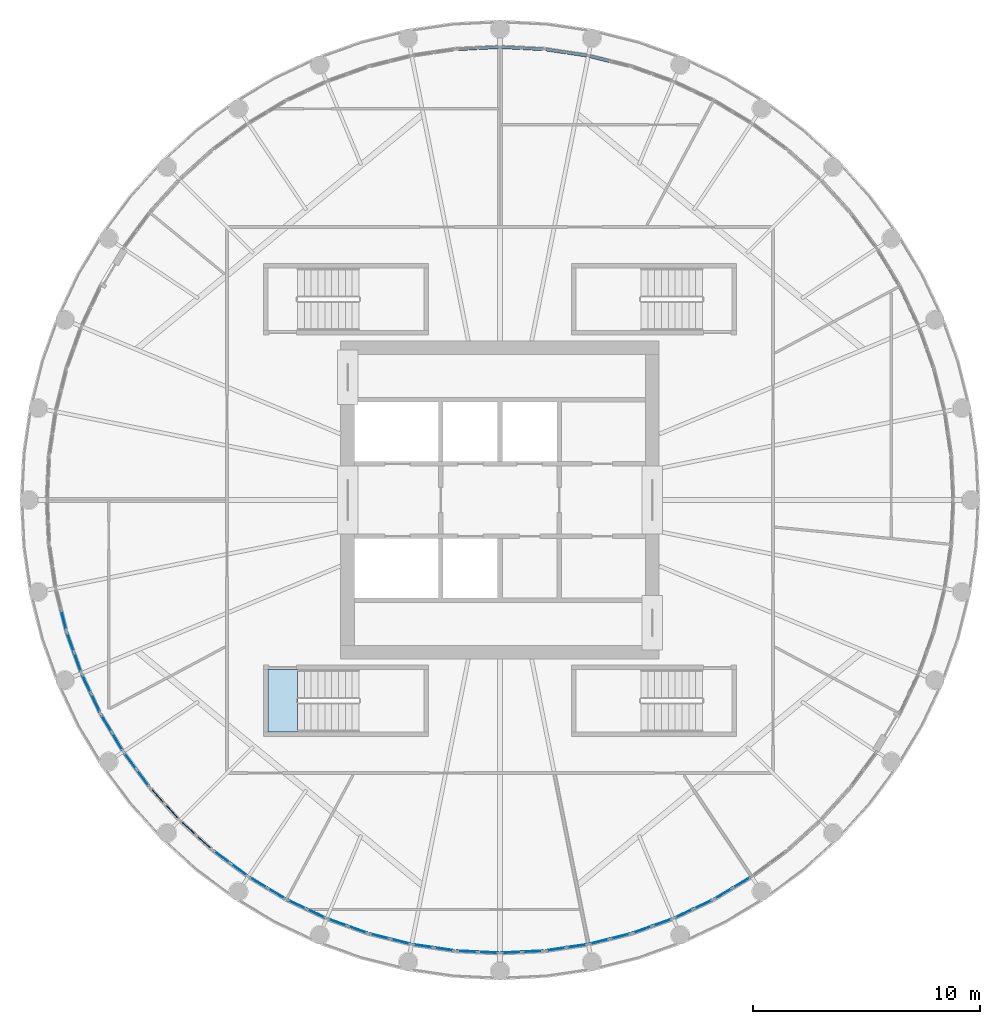
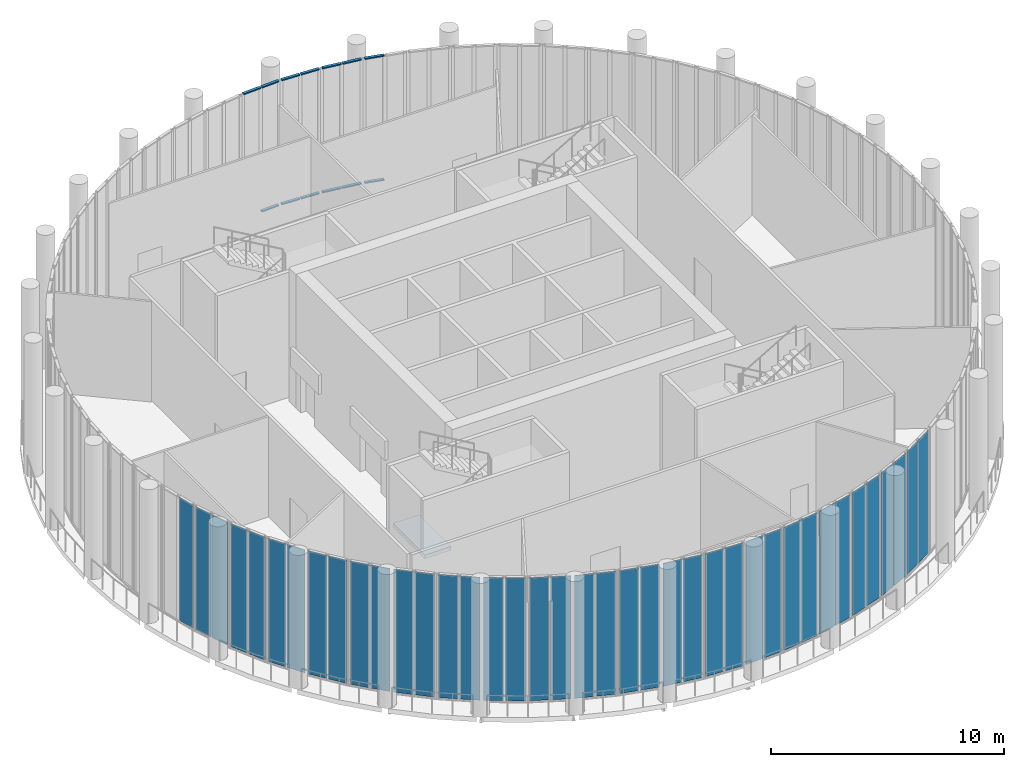
# One storey, part 12 of 21: 39 plates, 13 members, 1 slab, 25 elements without a shape of their own.
"""IFC4 building model written with IfcOpenShell, lengths in metres."""

from ifc_helpers import new_model, si_unit, direction, frame, origin, origin_2d, place, context, subcontext, project, spatial, polyline, rectangle, outline, extrude, material, layer, layer_set, material_profile, profile_set, type_object, element, aggregate, save


model = new_model("IFC4")

# Units and contexts
model_context = context("Model", 3, precision=1e-05, world=origin(), true_north=direction((0.0, 1.0)))
body_context = subcontext(model_context, "Body", "Model", "MODEL_VIEW")
ifc_project = project(units=[si_unit("LENGTHUNIT", "METRE"), si_unit("AREAUNIT", "SQUARE_METRE"), si_unit("VOLUMEUNIT", "CUBIC_METRE"), si_unit("PLANEANGLEUNIT", "RADIAN"), si_unit("MASSUNIT", "GRAM", prefix="KILO")], contexts=[model_context])

# Site, building, storey
site_placement = place(None, origin())
site = spatial("IfcSite", under=ifc_project, at=site_placement, CompositionType="ELEMENT")
building_placement = place(site_placement, origin())
building = spatial("IfcBuilding", under=site, at=building_placement, Name="Corvane Civic Tower", CompositionType="ELEMENT")
storey_placement = place(building_placement, frame((0.0, 0.0, 380.5)))
storey = spatial("IfcBuildingStorey", under=building, at=storey_placement, Name="L91", CompositionType="ELEMENT", Elevation=380.5)

# Curtain wall, members
ifc_material_1 = material(Name="Aluminium and glass", Category="aluminium")
curtain_wall_type = type_object("IfcCurtainWallType", Name="CROWN-CW-O-RUN", PredefinedType="NOTDEFINED", material=ifc_material_1)
curtain_wall_1_placement = place(storey_placement, origin())
curtain_wall_1 = element("IfcCurtainWall", 1, at=curtain_wall_1_placement, inside=storey, type_object=curtain_wall_type, Name="CW-O run L91 1", PredefinedType="NOTDEFINED")
ifc_material_2 = material(Name="Anodised aluminium bronze", Category="aluminium")
ifc_material_profile = material_profile(ifc_material_2, rectangle(XDim=0.139892578125, YDim=0.06005859375, at=origin_2d()), Name="AL 140x60")
ifc_profile_set = profile_set([ifc_material_profile], Name="Anodised aluminium bronze")
member_type = type_object("IfcMemberType", Name="CROWN-CWO-TRANSOM-60x140", PredefinedType="USERDEFINED", material=ifc_profile_set)
member_1_placement = place(storey_placement, frame((-0.075439453125, 19.90625, 0.030029296875), z_axis=(-0.998797339575, -0.04902932242, 0.0), x_axis=(0.04902932242, -0.998797339575, 0.0)))
member_1 = element("IfcMember", 2, at=member_1_placement, type_object=member_type, Name="CW-O transom 1.1", ObjectType="TRANSOM", PredefinedType="USERDEFINED", context=body_context, shape_type="SweptSolid", body=[
    extrude(rectangle(XDim=0.139892578125, YDim=0.06005859375, at=origin_2d()), origin(), (0.0, 0.0, 1.0), 0.871337890625),
])
member_2_placement = place(storey_placement, frame((-0.075439453125, 19.90625, 6.52001953125), z_axis=(-0.998797339575, -0.04902932242, 0.0), x_axis=(0.04902932242, -0.998797339575, 0.0)))
member_2 = element("IfcMember", 3, at=member_2_placement, type_object=member_type, Name="CW-O transom 1.2", ObjectType="TRANSOM", PredefinedType="USERDEFINED", context=body_context, shape_type="SweptSolid", body=[
    extrude(rectangle(XDim=0.139892578125, YDim=0.06005859375, at=origin_2d()), origin(), (0.0, 0.0, 1.0), 0.871337890625),
])
member_3_placement = place(storey_placement, frame((-1.005859375, 19.860595703125, 6.52001953125), z_axis=(-0.998797339575, -0.04902932242, 0.0), x_axis=(0.04902932242, -0.998797339575, 0.0)))
member_3 = element("IfcMember", 4, at=member_3_placement, type_object=member_type, Name="CW-O transom 2.2", ObjectType="TRANSOM", PredefinedType="USERDEFINED", context=body_context, shape_type="SweptSolid", body=[
    extrude(rectangle(XDim=0.139892578125, YDim=0.06005859375, at=origin_2d()), origin(), (0.0, 0.0, 1.0), 0.871337890625),
])
aggregate(curtain_wall_1, [member_1, member_2, member_3])

curtain_wall_2_placement = place(storey_placement, origin())
curtain_wall_2 = element("IfcCurtainWall", 5, at=curtain_wall_2_placement, inside=storey, type_object=curtain_wall_type, Name="CW-O run L91 62", PredefinedType="NOTDEFINED")
member_4_placement = place(storey_placement, frame((4.802734375, 19.29736328125, 0.030029296875), z_axis=(-0.970043526285, 0.242931177727, 0.0), x_axis=(-0.242931177727, -0.970043526285, 0.0)))
member_4 = element("IfcMember", 6, at=member_4_placement, type_object=member_type, Name="CW-O transom 2.1", ObjectType="TRANSOM", PredefinedType="USERDEFINED", context=body_context, shape_type="SweptSolid", body=[
    extrude(rectangle(XDim=0.139892578125, YDim=0.06005859375, at=origin_2d()), origin(), (0.0, 0.0, 1.0), 0.871337890625),
])
member_5_placement = place(storey_placement, frame((4.802734375, 19.29736328125, 6.52001953125), z_axis=(-0.970043526285, 0.242931177727, 0.0), x_axis=(-0.242931177727, -0.970043526285, 0.0)))
member_5 = element("IfcMember", 7, at=member_5_placement, type_object=member_type, Name="CW-O transom 2.2", ObjectType="TRANSOM", PredefinedType="USERDEFINED", context=body_context, shape_type="SweptSolid", body=[
    extrude(rectangle(XDim=0.139892578125, YDim=0.06005859375, at=origin_2d()), origin(), (0.0, 0.0, 1.0), 0.871337890625),
])
aggregate(curtain_wall_2, [member_4, member_5])

curtain_wall_3_placement = place(storey_placement, origin())
curtain_wall_3 = element("IfcCurtainWall", 8, at=curtain_wall_3_placement, inside=storey, type_object=curtain_wall_type, Name="CW-O run L91 63", PredefinedType="NOTDEFINED")
member_6_placement = place(storey_placement, frame((3.8095703125, 19.538330078125, 0.030029296875), z_axis=(-0.989167334022, 0.146792320314, 0.0), x_axis=(-0.146792320314, -0.989167334022, 0.0)))
member_6 = element("IfcMember", 9, at=member_6_placement, type_object=member_type, Name="CW-O transom 1.1", ObjectType="TRANSOM", PredefinedType="USERDEFINED", context=body_context, shape_type="SweptSolid", body=[
    extrude(rectangle(XDim=0.139892578125, YDim=0.06005859375, at=origin_2d()), origin(), (0.0, 0.0, 1.0), 0.87158203125),
])
member_7_placement = place(storey_placement, frame((3.8095703125, 19.538330078125, 6.52001953125), z_axis=(-0.989167334022, 0.146792320314, 0.0), x_axis=(-0.146792320314, -0.989167334022, 0.0)))
member_7 = element("IfcMember", 10, at=member_7_placement, type_object=member_type, Name="CW-O transom 1.2", ObjectType="TRANSOM", PredefinedType="USERDEFINED", context=body_context, shape_type="SweptSolid", body=[
    extrude(rectangle(XDim=0.139892578125, YDim=0.06005859375, at=origin_2d()), origin(), (0.0, 0.0, 1.0), 0.87158203125),
])
member_8_placement = place(storey_placement, frame((2.88818359375, 19.675048828125, 0.030029296875), z_axis=(-0.989161295103, 0.146833008112, 0.0), x_axis=(-0.146833008112, -0.989161295103, 0.0)))
member_8 = element("IfcMember", 11, at=member_8_placement, type_object=member_type, Name="CW-O transom 2.1", ObjectType="TRANSOM", PredefinedType="USERDEFINED", context=body_context, shape_type="SweptSolid", body=[
    extrude(rectangle(XDim=0.139892578125, YDim=0.06005859375, at=origin_2d()), origin(), (0.0, 0.0, 1.0), 0.871337890625),
])
member_9_placement = place(storey_placement, frame((2.88818359375, 19.675048828125, 6.52001953125), z_axis=(-0.989161295103, 0.146833008112, 0.0), x_axis=(-0.146833008112, -0.989161295103, 0.0)))
member_9 = element("IfcMember", 12, at=member_9_placement, type_object=member_type, Name="CW-O transom 2.2", ObjectType="TRANSOM", PredefinedType="USERDEFINED", context=body_context, shape_type="SweptSolid", body=[
    extrude(rectangle(XDim=0.139892578125, YDim=0.06005859375, at=origin_2d()), origin(), (0.0, 0.0, 1.0), 0.871337890625),
])
aggregate(curtain_wall_3, [member_6, member_7, member_8, member_9])

curtain_wall_4_placement = place(storey_placement, origin())
curtain_wall_4 = element("IfcCurtainWall", 13, at=curtain_wall_4_placement, inside=storey, type_object=curtain_wall_type, Name="CW-O run L91 64", PredefinedType="NOTDEFINED")
member_10_placement = place(storey_placement, frame((1.876220703125, 19.81787109375, 0.030029296875), z_axis=(-0.998797339575, 0.04902932242, 0.0), x_axis=(-0.04902932242, -0.998797339575, 0.0)))
member_10 = element("IfcMember", 14, at=member_10_placement, type_object=member_type, Name="CW-O transom 1.1", ObjectType="TRANSOM", PredefinedType="USERDEFINED", context=body_context, shape_type="SweptSolid", body=[
    extrude(rectangle(XDim=0.139892578125, YDim=0.06005859375, at=origin_2d()), origin(), (0.0, 0.0, 1.0), 0.871337890625),
])
member_11_placement = place(storey_placement, frame((1.876220703125, 19.81787109375, 6.52001953125), z_axis=(-0.998797339575, 0.04902932242, 0.0), x_axis=(-0.04902932242, -0.998797339575, 0.0)))
member_11 = element("IfcMember", 15, at=member_11_placement, type_object=member_type, Name="CW-O transom 1.2", ObjectType="TRANSOM", PredefinedType="USERDEFINED", context=body_context, shape_type="SweptSolid", body=[
    extrude(rectangle(XDim=0.139892578125, YDim=0.06005859375, at=origin_2d()), origin(), (0.0, 0.0, 1.0), 0.871337890625),
])
member_12_placement = place(storey_placement, frame((0.94580078125, 19.863525390625, 0.030029296875), z_axis=(-0.998797339575, 0.04902932242, 0.0), x_axis=(-0.04902932242, -0.998797339575, 0.0)))
member_12 = element("IfcMember", 16, at=member_12_placement, type_object=member_type, Name="CW-O transom 2.1", ObjectType="TRANSOM", PredefinedType="USERDEFINED", context=body_context, shape_type="SweptSolid", body=[
    extrude(rectangle(XDim=0.139892578125, YDim=0.06005859375, at=origin_2d()), origin(), (0.0, 0.0, 1.0), 0.871337890625),
])
member_13_placement = place(storey_placement, frame((0.94580078125, 19.863525390625, 6.52001953125), z_axis=(-0.998797339575, 0.04902932242, 0.0), x_axis=(-0.04902932242, -0.998797339575, 0.0)))
member_13 = element("IfcMember", 17, at=member_13_placement, type_object=member_type, Name="CW-O transom 2.2", ObjectType="TRANSOM", PredefinedType="USERDEFINED", context=body_context, shape_type="SweptSolid", body=[
    extrude(rectangle(XDim=0.139892578125, YDim=0.06005859375, at=origin_2d()), origin(), (0.0, 0.0, 1.0), 0.871337890625),
])
aggregate(curtain_wall_4, [member_10, member_11, member_12, member_13])

# Curtain wall, plate
curtain_wall_5_placement = place(storey_placement, origin())
curtain_wall_5 = element("IfcCurtainWall", 18, at=curtain_wall_5_placement, inside=storey, type_object=curtain_wall_type, Name="CW-O run L91 19", PredefinedType="NOTDEFINED")
ifc_material_3 = material(Name="Glass tinted low-e laminated", Category="glass")
ifc_layer_1 = layer(ifc_material_3, 0.035888671875)
ifc_layer_set_1 = layer_set([ifc_layer_1], Name="Glass tinted low-e laminated")
plate_type = type_object("IfcPlateType", Name="CROWN-CWO-PANEL-IGU36", PredefinedType="CURTAIN_PANEL", material=ifc_layer_set_1)
plate_1_placement = place(storey_placement, frame((-19.177001953125, -5.28369140625, 0.06005859375), z_axis=(0.0, 0.0, 1.0), x_axis=(0.242951704982, -0.970038385347, 0.0)))
plate_1 = element("IfcPlate", 19, at=plate_1_placement, type_object=plate_type, Name="CW-O panel 2.1", PredefinedType="CURTAIN_PANEL", context=body_context, shape_type="SweptSolid", body=[
    extrude(rectangle(XDim=0.871337890625, YDim=0.035888671875, at=origin_2d()), origin(), (0.0, 0.0, 1.0), 6.429931640625),
])
aggregate(curtain_wall_5, [plate_1])

# Curtain wall, plates
curtain_wall_6_placement = place(storey_placement, origin())
curtain_wall_6 = element("IfcCurtainWall", 20, at=curtain_wall_6_placement, inside=storey, type_object=curtain_wall_type, Name="CW-O run L91 20", PredefinedType="NOTDEFINED")
plate_2_placement = place(storey_placement, frame((-18.88037109375, -6.260986328125, 0.06005859375), z_axis=(0.0, 0.0, 1.0), x_axis=(0.336982106999, -0.941511051216, 0.0)))
plate_2 = element("IfcPlate", 21, at=plate_2_placement, type_object=plate_type, Name="CW-O panel 1.1", PredefinedType="CURTAIN_PANEL", context=body_context, shape_type="SweptSolid", body=[
    extrude(rectangle(XDim=0.871337890625, YDim=0.035888671875, at=origin_2d()), origin(), (0.0, 0.0, 1.0), 6.429931640625),
])
plate_3_placement = place(storey_placement, frame((-18.566650390625, -7.1376953125, 0.06005859375), z_axis=(0.0, 0.0, 1.0), x_axis=(0.336982106999, -0.941511051216, 0.0)))
plate_3 = element("IfcPlate", 22, at=plate_3_placement, type_object=plate_type, Name="CW-O panel 2.1", PredefinedType="CURTAIN_PANEL", context=body_context, shape_type="SweptSolid", body=[
    extrude(rectangle(XDim=0.871337890625, YDim=0.035888671875, at=origin_2d()), origin(), (0.0, 0.0, 1.0), 6.429931640625),
])
aggregate(curtain_wall_6, [plate_2, plate_3])

curtain_wall_7_placement = place(storey_placement, origin())
curtain_wall_7 = element("IfcCurtainWall", 23, at=curtain_wall_7_placement, inside=storey, type_object=curtain_wall_type, Name="CW-O run L91 21", PredefinedType="NOTDEFINED")
plate_4_placement = place(storey_placement, frame((-18.17578125, -8.081298828125, 0.06005859375), z_axis=(0.0, 0.0, 1.0), x_axis=(0.427509457959, -0.904010875684, 0.0)))
plate_4 = element("IfcPlate", 24, at=plate_4_placement, type_object=plate_type, Name="CW-O panel 1.1", PredefinedType="CURTAIN_PANEL", context=body_context, shape_type="SweptSolid", body=[
    extrude(rectangle(XDim=0.871337890625, YDim=0.035888671875, at=origin_2d()), origin(), (0.0, 0.0, 1.0), 6.429931640625),
])
plate_5_placement = place(storey_placement, frame((-17.777587890625, -8.92333984375, 0.06005859375), z_axis=(0.0, 0.0, 1.0), x_axis=(0.427509457959, -0.904010875684, 0.0)))
plate_5 = element("IfcPlate", 25, at=plate_5_placement, type_object=plate_type, Name="CW-O panel 2.1", PredefinedType="CURTAIN_PANEL", context=body_context, shape_type="SweptSolid", body=[
    extrude(rectangle(XDim=0.871337890625, YDim=0.035888671875, at=origin_2d()), origin(), (0.0, 0.0, 1.0), 6.429931640625),
])
aggregate(curtain_wall_7, [plate_4, plate_5])

curtain_wall_8_placement = place(storey_placement, origin())
curtain_wall_8 = element("IfcCurtainWall", 26, at=curtain_wall_8_placement, inside=storey, type_object=curtain_wall_type, Name="CW-O run L91 22", PredefinedType="NOTDEFINED")
plate_6_placement = place(storey_placement, frame((-17.296142578125, -9.823974609375, 0.06005859375), z_axis=(0.0, 0.0, 1.0), x_axis=(0.514151508287, -0.857699380043, 0.0)))
plate_6 = element("IfcPlate", 27, at=plate_6_placement, type_object=plate_type, Name="CW-O panel 1.1", PredefinedType="CURTAIN_PANEL", context=body_context, shape_type="SweptSolid", body=[
    extrude(rectangle(XDim=0.871337890625, YDim=0.035888671875, at=origin_2d()), origin(), (0.0, 0.0, 1.0), 6.429931640625),
])
plate_7_placement = place(storey_placement, frame((-16.8173828125, -10.622802734375, 0.06005859375), z_axis=(0.0, 0.0, 1.0), x_axis=(0.514151508287, -0.857699380043, 0.0)))
plate_7 = element("IfcPlate", 28, at=plate_7_placement, type_object=plate_type, Name="CW-O panel 2.1", PredefinedType="CURTAIN_PANEL", context=body_context, shape_type="SweptSolid", body=[
    extrude(rectangle(XDim=0.871337890625, YDim=0.035888671875, at=origin_2d()), origin(), (0.0, 0.0, 1.0), 6.429931640625),
])
aggregate(curtain_wall_8, [plate_6, plate_7])

curtain_wall_9_placement = place(storey_placement, origin())
curtain_wall_9 = element("IfcCurtainWall", 29, at=curtain_wall_9_placement, inside=storey, type_object=curtain_wall_type, Name="CW-O run L91 23", PredefinedType="NOTDEFINED")
plate_8_placement = place(storey_placement, frame((-16.25, -11.471923828125, 0.06005859375), z_axis=(0.0, 0.0, 1.0), x_axis=(0.595722477003, -0.803190345058, 0.0)))
plate_8 = element("IfcPlate", 30, at=plate_8_placement, type_object=plate_type, Name="CW-O panel 1.1", PredefinedType="CURTAIN_PANEL", context=body_context, shape_type="SweptSolid", body=[
    extrude(rectangle(XDim=0.871337890625, YDim=0.035888671875, at=origin_2d()), origin(), (0.0, 0.0, 1.0), 6.429931640625),
])
plate_9_placement = place(storey_placement, frame((-15.695068359375, -12.219970703125, 0.06005859375), z_axis=(0.0, 0.0, 1.0), x_axis=(0.595722477003, -0.803190345058, 0.0)))
plate_9 = element("IfcPlate", 31, at=plate_9_placement, type_object=plate_type, Name="CW-O panel 2.1", PredefinedType="CURTAIN_PANEL", context=body_context, shape_type="SweptSolid", body=[
    extrude(rectangle(XDim=0.871337890625, YDim=0.035888671875, at=origin_2d()), origin(), (0.0, 0.0, 1.0), 6.429931640625),
])
aggregate(curtain_wall_9, [plate_8, plate_9])

curtain_wall_10_placement = place(storey_placement, origin())
curtain_wall_10 = element("IfcCurtainWall", 32, at=curtain_wall_10_placement, inside=storey, type_object=curtain_wall_type, Name="CW-O run L91 24", PredefinedType="NOTDEFINED")
plate_10_placement = place(storey_placement, frame((-15.047119140625, -13.00927734375, 0.06005859375), z_axis=(0.0, 0.0, 1.0), x_axis=(0.671566717692, -0.740944089448, 0.0)))
plate_10 = element("IfcPlate", 33, at=plate_10_placement, type_object=plate_type, Name="CW-O panel 1.1", PredefinedType="CURTAIN_PANEL", context=body_context, shape_type="SweptSolid", body=[
    extrude(rectangle(XDim=0.871337890625, YDim=0.035888671875, at=origin_2d()), origin(), (0.0, 0.0, 1.0), 6.429931640625),
])
plate_11_placement = place(storey_placement, frame((-14.421630859375, -13.699462890625, 0.06005859375), z_axis=(0.0, 0.0, 1.0), x_axis=(0.671566717692, -0.740944089448, 0.0)))
plate_11 = element("IfcPlate", 34, at=plate_11_placement, type_object=plate_type, Name="CW-O panel 2.1", PredefinedType="CURTAIN_PANEL", context=body_context, shape_type="SweptSolid", body=[
    extrude(rectangle(XDim=0.871337890625, YDim=0.035888671875, at=origin_2d()), origin(), (0.0, 0.0, 1.0), 6.429931640625),
])
aggregate(curtain_wall_10, [plate_10, plate_11])

curtain_wall_11_placement = place(storey_placement, origin())
curtain_wall_11 = element("IfcCurtainWall", 35, at=curtain_wall_11_placement, inside=storey, type_object=curtain_wall_type, Name="CW-O run L91 25", PredefinedType="NOTDEFINED")
plate_12_placement = place(storey_placement, frame((-13.699462890625, -14.421630859375, 0.06005859375), z_axis=(0.0, 0.0, 1.0), x_axis=(0.740944089448, -0.671566717692, 0.0)))
plate_12 = element("IfcPlate", 36, at=plate_12_placement, type_object=plate_type, Name="CW-O panel 1.1", PredefinedType="CURTAIN_PANEL", context=body_context, shape_type="SweptSolid", body=[
    extrude(rectangle(XDim=0.871337890625, YDim=0.035888671875, at=origin_2d()), origin(), (0.0, 0.0, 1.0), 6.429931640625),
])
plate_13_placement = place(storey_placement, frame((-13.00927734375, -15.047119140625, 0.06005859375), z_axis=(0.0, 0.0, 1.0), x_axis=(0.740944089448, -0.671566717692, 0.0)))
plate_13 = element("IfcPlate", 37, at=plate_13_placement, type_object=plate_type, Name="CW-O panel 2.1", PredefinedType="CURTAIN_PANEL", context=body_context, shape_type="SweptSolid", body=[
    extrude(rectangle(XDim=0.871337890625, YDim=0.035888671875, at=origin_2d()), origin(), (0.0, 0.0, 1.0), 6.429931640625),
])
aggregate(curtain_wall_11, [plate_12, plate_13])

curtain_wall_12_placement = place(storey_placement, origin())
curtain_wall_12 = element("IfcCurtainWall", 38, at=curtain_wall_12_placement, inside=storey, type_object=curtain_wall_type, Name="CW-O run L91 26", PredefinedType="NOTDEFINED")
plate_14_placement = place(storey_placement, frame((-12.219970703125, -15.695068359375, 0.06005859375), z_axis=(0.0, 0.0, 1.0), x_axis=(0.803190345058, -0.595722477003, 0.0)))
plate_14 = element("IfcPlate", 39, at=plate_14_placement, type_object=plate_type, Name="CW-O panel 1.1", PredefinedType="CURTAIN_PANEL", context=body_context, shape_type="SweptSolid", body=[
    extrude(rectangle(XDim=0.871337890625, YDim=0.035888671875, at=origin_2d()), origin(), (0.0, 0.0, 1.0), 6.429931640625),
])
plate_15_placement = place(storey_placement, frame((-11.471923828125, -16.25, 0.06005859375), z_axis=(0.0, 0.0, 1.0), x_axis=(0.803190345058, -0.595722477003, 0.0)))
plate_15 = element("IfcPlate", 40, at=plate_15_placement, type_object=plate_type, Name="CW-O panel 2.1", PredefinedType="CURTAIN_PANEL", context=body_context, shape_type="SweptSolid", body=[
    extrude(rectangle(XDim=0.871337890625, YDim=0.035888671875, at=origin_2d()), origin(), (0.0, 0.0, 1.0), 6.429931640625),
])
aggregate(curtain_wall_12, [plate_14, plate_15])

curtain_wall_13_placement = place(storey_placement, origin())
curtain_wall_13 = element("IfcCurtainWall", 41, at=curtain_wall_13_placement, inside=storey, type_object=curtain_wall_type, Name="CW-O run L91 27", PredefinedType="NOTDEFINED")
plate_16_placement = place(storey_placement, frame((-10.622802734375, -16.8173828125, 0.06005859375), z_axis=(0.0, 0.0, 1.0), x_axis=(0.857699380043, -0.514151508287, 0.0)))
plate_16 = element("IfcPlate", 42, at=plate_16_placement, type_object=plate_type, Name="CW-O panel 1.1", PredefinedType="CURTAIN_PANEL", context=body_context, shape_type="SweptSolid", body=[
    extrude(rectangle(XDim=0.871337890625, YDim=0.035888671875, at=origin_2d()), origin(), (0.0, 0.0, 1.0), 6.429931640625),
])
plate_17_placement = place(storey_placement, frame((-9.823974609375, -17.296142578125, 0.06005859375), z_axis=(0.0, 0.0, 1.0), x_axis=(0.857699380043, -0.514151508287, 0.0)))
plate_17 = element("IfcPlate", 43, at=plate_17_placement, type_object=plate_type, Name="CW-O panel 2.1", PredefinedType="CURTAIN_PANEL", context=body_context, shape_type="SweptSolid", body=[
    extrude(rectangle(XDim=0.871337890625, YDim=0.035888671875, at=origin_2d()), origin(), (0.0, 0.0, 1.0), 6.429931640625),
])
aggregate(curtain_wall_13, [plate_16, plate_17])

curtain_wall_14_placement = place(storey_placement, origin())
curtain_wall_14 = element("IfcCurtainWall", 44, at=curtain_wall_14_placement, inside=storey, type_object=curtain_wall_type, Name="CW-O run L91 28", PredefinedType="NOTDEFINED")
plate_18_placement = place(storey_placement, frame((-8.92333984375, -17.777587890625, 0.06005859375), z_axis=(0.0, 0.0, 1.0), x_axis=(0.904010875684, -0.427509457959, 0.0)))
plate_18 = element("IfcPlate", 45, at=plate_18_placement, type_object=plate_type, Name="CW-O panel 1.1", PredefinedType="CURTAIN_PANEL", context=body_context, shape_type="SweptSolid", body=[
    extrude(rectangle(XDim=0.871337890625, YDim=0.035888671875, at=origin_2d()), origin(), (0.0, 0.0, 1.0), 6.429931640625),
])
plate_19_placement = place(storey_placement, frame((-8.081298828125, -18.17578125, 0.06005859375), z_axis=(0.0, 0.0, 1.0), x_axis=(0.904010875684, -0.427509457959, 0.0)))
plate_19 = element("IfcPlate", 46, at=plate_19_placement, type_object=plate_type, Name="CW-O panel 2.1", PredefinedType="CURTAIN_PANEL", context=body_context, shape_type="SweptSolid", body=[
    extrude(rectangle(XDim=0.871337890625, YDim=0.035888671875, at=origin_2d()), origin(), (0.0, 0.0, 1.0), 6.429931640625),
])
aggregate(curtain_wall_14, [plate_18, plate_19])

curtain_wall_15_placement = place(storey_placement, origin())
curtain_wall_15 = element("IfcCurtainWall", 47, at=curtain_wall_15_placement, inside=storey, type_object=curtain_wall_type, Name="CW-O run L91 29", PredefinedType="NOTDEFINED")
plate_20_placement = place(storey_placement, frame((-7.1376953125, -18.566650390625, 0.06005859375), z_axis=(0.0, 0.0, 1.0), x_axis=(0.941511051216, -0.336982106999, 0.0)))
plate_20 = element("IfcPlate", 48, at=plate_20_placement, type_object=plate_type, Name="CW-O panel 1.1", PredefinedType="CURTAIN_PANEL", context=body_context, shape_type="SweptSolid", body=[
    extrude(rectangle(XDim=0.871337890625, YDim=0.035888671875, at=origin_2d()), origin(), (0.0, 0.0, 1.0), 6.429931640625),
])
plate_21_placement = place(storey_placement, frame((-6.260986328125, -18.88037109375, 0.06005859375), z_axis=(0.0, 0.0, 1.0), x_axis=(0.941511051216, -0.336982106999, 0.0)))
plate_21 = element("IfcPlate", 49, at=plate_21_placement, type_object=plate_type, Name="CW-O panel 2.1", PredefinedType="CURTAIN_PANEL", context=body_context, shape_type="SweptSolid", body=[
    extrude(rectangle(XDim=0.871337890625, YDim=0.035888671875, at=origin_2d()), origin(), (0.0, 0.0, 1.0), 6.429931640625),
])
aggregate(curtain_wall_15, [plate_20, plate_21])

curtain_wall_16_placement = place(storey_placement, origin())
curtain_wall_16 = element("IfcCurtainWall", 50, at=curtain_wall_16_placement, inside=storey, type_object=curtain_wall_type, Name="CW-O run L91 30", PredefinedType="NOTDEFINED")
plate_22_placement = place(storey_placement, frame((-5.28369140625, -19.177001953125, 0.06005859375), z_axis=(0.0, 0.0, 1.0), x_axis=(0.970038385347, -0.242951704982, 0.0)))
plate_22 = element("IfcPlate", 51, at=plate_22_placement, type_object=plate_type, Name="CW-O panel 1.1", PredefinedType="CURTAIN_PANEL", context=body_context, shape_type="SweptSolid", body=[
    extrude(rectangle(XDim=0.871337890625, YDim=0.035888671875, at=origin_2d()), origin(), (0.0, 0.0, 1.0), 6.429931640625),
])
plate_23_placement = place(storey_placement, frame((-4.380126953125, -19.403076171875, 0.06005859375), z_axis=(0.0, 0.0, 1.0), x_axis=(0.970038385347, -0.242951704982, 0.0)))
plate_23 = element("IfcPlate", 52, at=plate_23_placement, type_object=plate_type, Name="CW-O panel 2.1", PredefinedType="CURTAIN_PANEL", context=body_context, shape_type="SweptSolid", body=[
    extrude(rectangle(XDim=0.871337890625, YDim=0.035888671875, at=origin_2d()), origin(), (0.0, 0.0, 1.0), 6.429931640625),
])
aggregate(curtain_wall_16, [plate_22, plate_23])

curtain_wall_17_placement = place(storey_placement, origin())
curtain_wall_17 = element("IfcCurtainWall", 53, at=curtain_wall_17_placement, inside=storey, type_object=curtain_wall_type, Name="CW-O run L91 31", PredefinedType="NOTDEFINED")
plate_24_placement = place(storey_placement, frame((-3.378662109375, -19.602294921875, 0.06005859375), z_axis=(0.0, 0.0, 1.0), x_axis=(0.989170486303, -0.146771076941, 0.0)))
plate_24 = element("IfcPlate", 54, at=plate_24_placement, type_object=plate_type, Name="CW-O panel 1.1", PredefinedType="CURTAIN_PANEL", context=body_context, shape_type="SweptSolid", body=[
    extrude(rectangle(XDim=0.871337890625, YDim=0.035888671875, at=origin_2d()), origin(), (0.0, 0.0, 1.0), 6.429931640625),
])
plate_25_placement = place(storey_placement, frame((-2.457275390625, -19.739013671875, 0.06005859375), z_axis=(0.0, 0.0, 1.0), x_axis=(0.989170486303, -0.146771076941, 0.0)))
plate_25 = element("IfcPlate", 55, at=plate_25_placement, type_object=plate_type, Name="CW-O panel 2.1", PredefinedType="CURTAIN_PANEL", context=body_context, shape_type="SweptSolid", body=[
    extrude(rectangle(XDim=0.871337890625, YDim=0.035888671875, at=origin_2d()), origin(), (0.0, 0.0, 1.0), 6.429931640625),
])
aggregate(curtain_wall_17, [plate_24, plate_25])

curtain_wall_18_placement = place(storey_placement, origin())
curtain_wall_18 = element("IfcCurtainWall", 56, at=curtain_wall_18_placement, inside=storey, type_object=curtain_wall_type, Name="CW-O run L91 32", PredefinedType="NOTDEFINED")
plate_26_placement = place(storey_placement, frame((-1.44091796875, -19.839111328125, 0.06005859375), z_axis=(0.0, 0.0, 1.0), x_axis=(0.998799228405, -0.048990829113, 0.0)))
plate_26 = element("IfcPlate", 57, at=plate_26_placement, type_object=plate_type, Name="CW-O panel 1.1", PredefinedType="CURTAIN_PANEL", context=body_context, shape_type="SweptSolid", body=[
    extrude(rectangle(XDim=0.871337890625, YDim=0.035888671875, at=origin_2d()), origin(), (0.0, 0.0, 1.0), 6.429931640625),
])
plate_27_placement = place(storey_placement, frame((-0.5107421875, -19.884765625, 0.06005859375), z_axis=(0.0, 0.0, 1.0), x_axis=(0.998799228405, -0.048990829113, 0.0)))
plate_27 = element("IfcPlate", 58, at=plate_27_placement, type_object=plate_type, Name="CW-O panel 2.1", PredefinedType="CURTAIN_PANEL", context=body_context, shape_type="SweptSolid", body=[
    extrude(rectangle(XDim=0.871337890625, YDim=0.035888671875, at=origin_2d()), origin(), (0.0, 0.0, 1.0), 6.429931640625),
])
aggregate(curtain_wall_18, [plate_26, plate_27])

curtain_wall_19_placement = place(storey_placement, origin())
curtain_wall_19 = element("IfcCurtainWall", 59, at=curtain_wall_19_placement, inside=storey, type_object=curtain_wall_type, Name="CW-O run L91 33", PredefinedType="NOTDEFINED")
plate_28_placement = place(storey_placement, frame((0.5107421875, -19.884765625, 0.06005859375), z_axis=(0.0, 0.0, 1.0), x_axis=(0.998799228405, 0.048990829113, 0.0)))
plate_28 = element("IfcPlate", 60, at=plate_28_placement, type_object=plate_type, Name="CW-O panel 1.1", PredefinedType="CURTAIN_PANEL", context=body_context, shape_type="SweptSolid", body=[
    extrude(rectangle(XDim=0.871337890625, YDim=0.035888671875, at=origin_2d()), origin(), (0.0, 0.0, 1.0), 6.429931640625),
])
plate_29_placement = place(storey_placement, frame((1.44091796875, -19.839111328125, 0.06005859375), z_axis=(0.0, 0.0, 1.0), x_axis=(0.998799228405, 0.048990829113, 0.0)))
plate_29 = element("IfcPlate", 61, at=plate_29_placement, type_object=plate_type, Name="CW-O panel 2.1", PredefinedType="CURTAIN_PANEL", context=body_context, shape_type="SweptSolid", body=[
    extrude(rectangle(XDim=0.871337890625, YDim=0.035888671875, at=origin_2d()), origin(), (0.0, 0.0, 1.0), 6.429931640625),
])
aggregate(curtain_wall_19, [plate_28, plate_29])

curtain_wall_20_placement = place(storey_placement, origin())
curtain_wall_20 = element("IfcCurtainWall", 62, at=curtain_wall_20_placement, inside=storey, type_object=curtain_wall_type, Name="CW-O run L91 34", PredefinedType="NOTDEFINED")
plate_30_placement = place(storey_placement, frame((2.457275390625, -19.739013671875, 0.06005859375), z_axis=(0.0, 0.0, 1.0), x_axis=(0.989170486303, 0.146771076941, 0.0)))
plate_30 = element("IfcPlate", 63, at=plate_30_placement, type_object=plate_type, Name="CW-O panel 1.1", PredefinedType="CURTAIN_PANEL", context=body_context, shape_type="SweptSolid", body=[
    extrude(rectangle(XDim=0.871337890625, YDim=0.035888671875, at=origin_2d()), origin(), (0.0, 0.0, 1.0), 6.429931640625),
])
plate_31_placement = place(storey_placement, frame((3.378662109375, -19.602294921875, 0.06005859375), z_axis=(0.0, 0.0, 1.0), x_axis=(0.989170486303, 0.146771076941, 0.0)))
plate_31 = element("IfcPlate", 64, at=plate_31_placement, type_object=plate_type, Name="CW-O panel 2.1", PredefinedType="CURTAIN_PANEL", context=body_context, shape_type="SweptSolid", body=[
    extrude(rectangle(XDim=0.871337890625, YDim=0.035888671875, at=origin_2d()), origin(), (0.0, 0.0, 1.0), 6.429931640625),
])
aggregate(curtain_wall_20, [plate_30, plate_31])

curtain_wall_21_placement = place(storey_placement, origin())
curtain_wall_21 = element("IfcCurtainWall", 65, at=curtain_wall_21_placement, inside=storey, type_object=curtain_wall_type, Name="CW-O run L91 35", PredefinedType="NOTDEFINED")
plate_32_placement = place(storey_placement, frame((4.380126953125, -19.403076171875, 0.06005859375), z_axis=(0.0, 0.0, 1.0), x_axis=(0.970038385347, 0.242951704982, 0.0)))
plate_32 = element("IfcPlate", 66, at=plate_32_placement, type_object=plate_type, Name="CW-O panel 1.1", PredefinedType="CURTAIN_PANEL", context=body_context, shape_type="SweptSolid", body=[
    extrude(rectangle(XDim=0.871337890625, YDim=0.035888671875, at=origin_2d()), origin(), (0.0, 0.0, 1.0), 6.429931640625),
])
plate_33_placement = place(storey_placement, frame((5.28369140625, -19.177001953125, 0.06005859375), z_axis=(0.0, 0.0, 1.0), x_axis=(0.970038385347, 0.242951704982, 0.0)))
plate_33 = element("IfcPlate", 67, at=plate_33_placement, type_object=plate_type, Name="CW-O panel 2.1", PredefinedType="CURTAIN_PANEL", context=body_context, shape_type="SweptSolid", body=[
    extrude(rectangle(XDim=0.871337890625, YDim=0.035888671875, at=origin_2d()), origin(), (0.0, 0.0, 1.0), 6.429931640625),
])
aggregate(curtain_wall_21, [plate_32, plate_33])

curtain_wall_22_placement = place(storey_placement, origin())
curtain_wall_22 = element("IfcCurtainWall", 68, at=curtain_wall_22_placement, inside=storey, type_object=curtain_wall_type, Name="CW-O run L91 36", PredefinedType="NOTDEFINED")
plate_34_placement = place(storey_placement, frame((6.260986328125, -18.88037109375, 0.06005859375), z_axis=(0.0, 0.0, 1.0), x_axis=(0.941511051216, 0.336982106999, 0.0)))
plate_34 = element("IfcPlate", 69, at=plate_34_placement, type_object=plate_type, Name="CW-O panel 1.1", PredefinedType="CURTAIN_PANEL", context=body_context, shape_type="SweptSolid", body=[
    extrude(rectangle(XDim=0.871337890625, YDim=0.035888671875, at=origin_2d()), origin(), (0.0, 0.0, 1.0), 6.429931640625),
])
plate_35_placement = place(storey_placement, frame((7.1376953125, -18.566650390625, 0.06005859375), z_axis=(0.0, 0.0, 1.0), x_axis=(0.941511051216, 0.336982106999, 0.0)))
plate_35 = element("IfcPlate", 70, at=plate_35_placement, type_object=plate_type, Name="CW-O panel 2.1", PredefinedType="CURTAIN_PANEL", context=body_context, shape_type="SweptSolid", body=[
    extrude(rectangle(XDim=0.871337890625, YDim=0.035888671875, at=origin_2d()), origin(), (0.0, 0.0, 1.0), 6.429931640625),
])
aggregate(curtain_wall_22, [plate_34, plate_35])

curtain_wall_23_placement = place(storey_placement, origin())
curtain_wall_23 = element("IfcCurtainWall", 71, at=curtain_wall_23_placement, inside=storey, type_object=curtain_wall_type, Name="CW-O run L91 37", PredefinedType="NOTDEFINED")
plate_36_placement = place(storey_placement, frame((8.081298828125, -18.17578125, 0.06005859375), z_axis=(0.0, 0.0, 1.0), x_axis=(0.904010875684, 0.427509457959, 0.0)))
plate_36 = element("IfcPlate", 72, at=plate_36_placement, type_object=plate_type, Name="CW-O panel 1.1", PredefinedType="CURTAIN_PANEL", context=body_context, shape_type="SweptSolid", body=[
    extrude(rectangle(XDim=0.871337890625, YDim=0.035888671875, at=origin_2d()), origin(), (0.0, 0.0, 1.0), 6.429931640625),
])
plate_37_placement = place(storey_placement, frame((8.92333984375, -17.777587890625, 0.06005859375), z_axis=(0.0, 0.0, 1.0), x_axis=(0.904010875684, 0.427509457959, 0.0)))
plate_37 = element("IfcPlate", 73, at=plate_37_placement, type_object=plate_type, Name="CW-O panel 2.1", PredefinedType="CURTAIN_PANEL", context=body_context, shape_type="SweptSolid", body=[
    extrude(rectangle(XDim=0.871337890625, YDim=0.035888671875, at=origin_2d()), origin(), (0.0, 0.0, 1.0), 6.429931640625),
])
aggregate(curtain_wall_23, [plate_36, plate_37])

curtain_wall_24_placement = place(storey_placement, origin())
curtain_wall_24 = element("IfcCurtainWall", 74, at=curtain_wall_24_placement, inside=storey, type_object=curtain_wall_type, Name="CW-O run L91 38", PredefinedType="NOTDEFINED")
plate_38_placement = place(storey_placement, frame((9.823974609375, -17.296142578125, 0.06005859375), z_axis=(0.0, 0.0, 1.0), x_axis=(0.857699380043, 0.514151508287, 0.0)))
plate_38 = element("IfcPlate", 75, at=plate_38_placement, type_object=plate_type, Name="CW-O panel 1.1", PredefinedType="CURTAIN_PANEL", context=body_context, shape_type="SweptSolid", body=[
    extrude(rectangle(XDim=0.871337890625, YDim=0.035888671875, at=origin_2d()), origin(), (0.0, 0.0, 1.0), 6.429931640625),
])
plate_39_placement = place(storey_placement, frame((10.622802734375, -16.8173828125, 0.06005859375), z_axis=(0.0, 0.0, 1.0), x_axis=(0.857699380043, 0.514151508287, 0.0)))
plate_39 = element("IfcPlate", 76, at=plate_39_placement, type_object=plate_type, Name="CW-O panel 2.1", PredefinedType="CURTAIN_PANEL", context=body_context, shape_type="SweptSolid", body=[
    extrude(rectangle(XDim=0.871337890625, YDim=0.035888671875, at=origin_2d()), origin(), (0.0, 0.0, 1.0), 6.429931640625),
])
aggregate(curtain_wall_24, [plate_38, plate_39])

# Stair, slab
ifc_material_4 = material(Name="Concrete C40/50", Category="concrete")
stair_type = type_object("IfcStairType", Name="ST-STAIR-HALFTURN", PredefinedType="HALF_TURN_STAIR", material=ifc_material_4)
stair_placement = place(storey_placement, origin())
stair = element("IfcStair", 77, at=stair_placement, inside=storey, type_object=stair_type, Name="L91 Exit stair ST3", PredefinedType="HALF_TURN_STAIR")
ifc_material_5 = material(Name="Concrete C40/50", Category="concrete")
ifc_layer_2 = layer(ifc_material_5, 0.199951171875)
ifc_layer_set_2 = layer_set([ifc_layer_2], Name="Concrete C40/50")
slab_type = type_object("IfcSlabType", Name="ST-LANDING-RC", PredefinedType="LANDING", material=ifc_layer_set_2)
slab_placement = place(storey_placement, frame((0.0, 0.0, 3.300048828125)))
slab = element("IfcSlab", 78, at=slab_placement, type_object=slab_type, Name="ST3 landing 2", PredefinedType="LANDING", context=body_context, shape_type="SweptSolid", body=[
    extrude(outline(polyline([(-10.199951171875, -10.199951171875), (-8.89990234375, -10.199951171875), (-8.89990234375, -7.449951171875), (-10.199951171875, -7.449951171875), (-10.199951171875, -10.199951171875)])), origin(), (0.0, 0.0, 1.0), 0.199951171875),
])
aggregate(stair, [slab])

save(model, "model.ifc")
